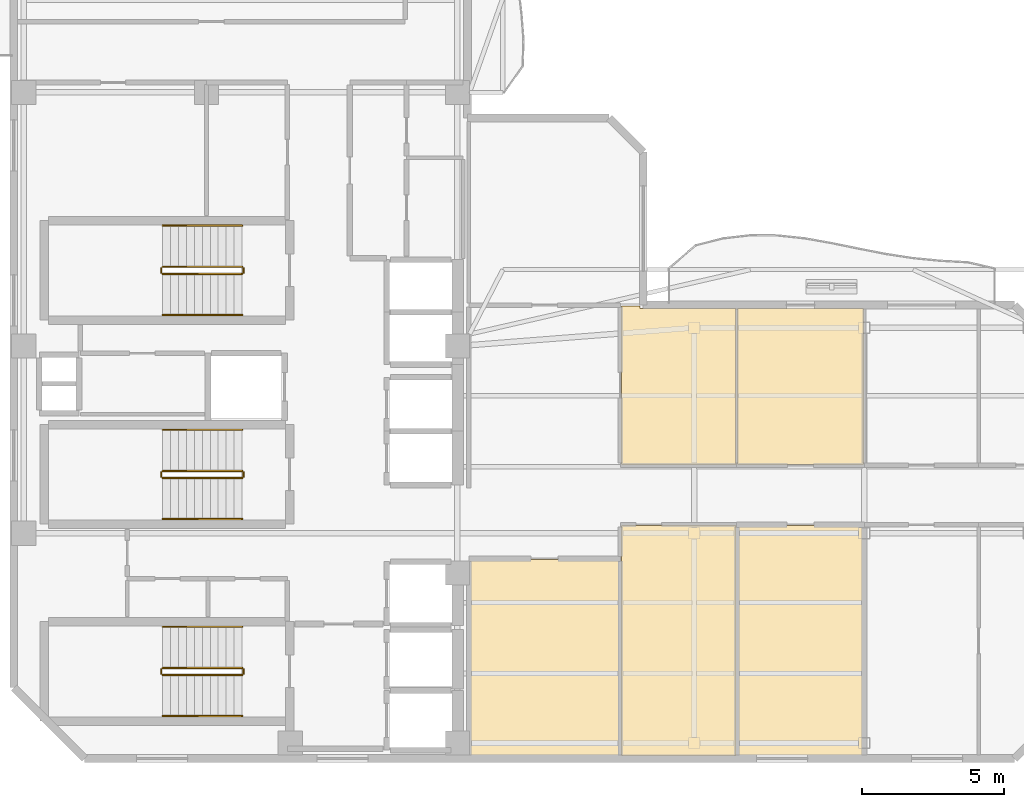
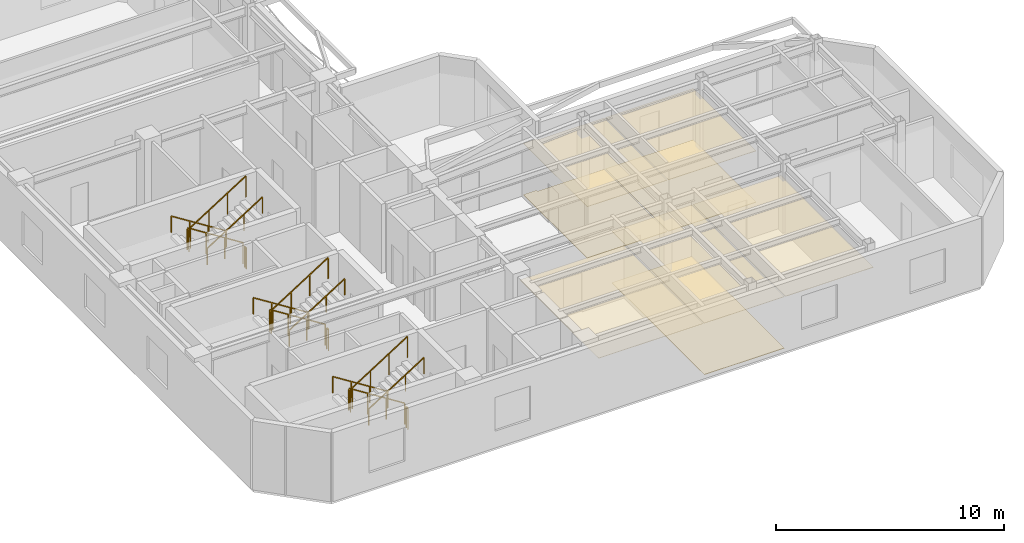
# One storey, part 7 of 8: 18 railings, 8 coverings.
"""IFC4 building model written with IfcOpenShell, lengths in metres."""

from ifc_helpers import new_model, si_unit, direction, frame, origin, origin_2d, place, context, subcontext, project, spatial, polyline, rectangle, outline, extrude, material, layer, layer_set, type_object, element, save


model = new_model("IFC4")

# Units and contexts
model_context = context("Model", 3, precision=1e-05, world=origin(), true_north=direction((0.0, 1.0)))
body_context = subcontext(model_context, "Body", "Model", "MODEL_VIEW")
ifc_project = project(units=[si_unit("LENGTHUNIT", "METRE"), si_unit("AREAUNIT", "SQUARE_METRE"), si_unit("VOLUMEUNIT", "CUBIC_METRE"), si_unit("PLANEANGLEUNIT", "RADIAN"), si_unit("MASSUNIT", "GRAM", prefix="KILO")], contexts=[model_context])

# Site, building, storey
site_placement = place(None, origin())
site = spatial("IfcSite", under=ifc_project, at=site_placement, CompositionType="ELEMENT")
building_placement = place(site_placement, origin())
building = spatial("IfcBuilding", under=site, at=building_placement, Name="Mawjaban Terraces University", CompositionType="ELEMENT")
storey_placement = place(building_placement, frame((0.0, 0.0, 271.60009765625)))
storey = spatial("IfcBuildingStorey", under=building, at=storey_placement, Name="L66", CompositionType="ELEMENT", Elevation=271.60009765625)

# Coverings
ifc_material_1 = material(Name="Acoustic mineral fibre ceiling tile", Category="masonry")
ifc_layer_1 = layer(ifc_material_1, 0.02001953125)
ifc_layer_set_1 = layer_set([ifc_layer_1], Name="Acoustic mineral fibre ceiling tile")
covering_type_1 = type_object("IfcCoveringType", Name="AcousticMineralCeiling_20", PredefinedType="CEILING", material=ifc_layer_set_1)
covering_1_placement = place(storey_placement, frame((0.0, 0.0, 2.75)))
element("IfcCovering", 1, at=covering_1_placement, inside=storey, type_object=covering_type_1, Name="L66 Media Workshop 1 Acoustic Ceiling", PredefinedType="CEILING", context=body_context, shape_type="SweptSolid", body=[
    extrude(outline(polyline([(38.080078125, 7.02001953125), (38.080078125, 0.114990234375), (43.3701171875, 0.114990234375), (43.3701171875, 7.02001953125), (38.080078125, 7.02001953125)])), origin(), (0.0, 0.0, 1.0), 0.02001953125),
])
covering_2_placement = place(storey_placement, frame((0.0, 0.0, 2.75)))
element("IfcCovering", 2, at=covering_2_placement, inside=storey, type_object=covering_type_1, Name="L66 Quiet Reading Room 2 Acoustic Ceiling", PredefinedType="CEILING", context=body_context, shape_type="SweptSolid", body=[
    extrude(outline(polyline([(43.429931640625, 0.114990234375), (47.469970703125, 0.114990234375), (47.469970703125, 8.219970703125), (43.429931640625, 8.219970703125), (43.429931640625, 0.114990234375)])), origin(), (0.0, 0.0, 1.0), 0.02001953125),
])
covering_3_placement = place(storey_placement, frame((0.0, 0.0, 2.75)))
element("IfcCovering", 3, at=covering_3_placement, inside=storey, type_object=covering_type_1, Name="L66 Reading Salon 3 Acoustic Ceiling", PredefinedType="CEILING", context=body_context, shape_type="SweptSolid", body=[
    extrude(outline(polyline([(47.469970703125, 15.885009765625), (44.0849609375, 15.885009765625), (44.0849609375, 15.969970703125), (43.429931640625, 15.969970703125), (43.429931640625, 10.3798828125), (47.469970703125, 10.3798828125), (47.469970703125, 15.885009765625)])), origin(), (0.0, 0.0, 1.0), 0.02001953125),
])
covering_4_placement = place(storey_placement, frame((0.0, 0.0, 2.75)))
element("IfcCovering", 4, at=covering_4_placement, inside=storey, type_object=covering_type_1, Name="L66 Media Workshop 4 Acoustic Ceiling", PredefinedType="CEILING", context=body_context, shape_type="SweptSolid", body=[
    extrude(outline(polyline([(47.530029296875, 0.114990234375), (51.969970703125, 0.114990234375), (51.969970703125, 8.219970703125), (47.530029296875, 8.219970703125), (47.530029296875, 0.114990234375)])), origin(), (0.0, 0.0, 1.0), 0.02001953125),
])
covering_5_placement = place(storey_placement, frame((0.0, 0.0, 2.75)))
element("IfcCovering", 5, at=covering_5_placement, inside=storey, type_object=covering_type_1, Name="L66 Quiet Reading Room 5 Acoustic Ceiling", PredefinedType="CEILING", context=body_context, shape_type="SweptSolid", body=[
    extrude(outline(polyline([(51.969970703125, 15.885009765625), (47.530029296875, 15.885009765625), (47.530029296875, 10.3798828125), (51.969970703125, 10.3798828125), (51.969970703125, 15.885009765625)])), origin(), (0.0, 0.0, 1.0), 0.02001953125),
])

# Railings
ifc_material_2 = material(Name="Brushed stainless steel 316", Category="steel")
railing_type_1 = type_object("IfcRailingType", Name="StairWallHandrail_900", PredefinedType="HANDRAIL", material=ifc_material_2)
railing_1_placement = place(storey_placement, frame((30.050048828125, 4.64990234375, 0.17724609375)))
element("IfcRailing", 6, at=railing_1_placement, inside=storey, type_object=railing_type_1, Name="L66 ST-1 stair handrail 1", PredefinedType="HANDRAIL", context=body_context, shape_type="SweptSolid", body=[
    extrude(rectangle(XDim=0.048095703125, YDim=0.048095703125, at=origin_2d()), frame((0.0, 0.0, 0.8759765625), z_axis=(-0.844908973607, 0.0, 0.534910110503), x_axis=(0.0, -1.0, 0.0)), (0.0, 0.0, 1.0), 3.31396484375),
    extrude(rectangle(XDim=0.0419921875, YDim=0.0419921875, at=origin_2d()), origin(), (0.0, 0.0, 1.0), 0.851806640625),
    extrude(rectangle(XDim=0.0419921875, YDim=0.0419921875, at=origin_2d()), frame((-0.933349609375, 0.0, 0.5908203125)), (0.0, 0.0, 1.0), 0.851806640625),
    extrude(rectangle(XDim=0.0419921875, YDim=0.0419921875, at=origin_2d()), frame((-1.86669921875, 0.0, 1.181884765625)), (0.0, 0.0, 1.0), 0.851806640625),
    extrude(rectangle(XDim=0.0419921875, YDim=0.0419921875, at=origin_2d()), frame((-2.800048828125, 0.0, 1.772705078125)), (0.0, 0.0, 1.0), 0.851806640625),
])
railing_2_placement = place(storey_placement, frame((27.25, 1.5, 2.127197265625)))
element("IfcRailing", 7, at=railing_2_placement, inside=storey, type_object=railing_type_1, Name="L66 ST-1 stair handrail 2", PredefinedType="HANDRAIL", context=body_context, shape_type="SweptSolid", body=[
    extrude(rectangle(XDim=0.048095703125, YDim=0.048095703125, at=origin_2d()), frame((0.0, 0.0, 0.8759765625), z_axis=(0.844908973607, 0.0, 0.534910110503), x_axis=(0.0, 1.0, 0.0)), (0.0, 0.0, 1.0), 3.31396484375),
    extrude(rectangle(XDim=0.0419921875, YDim=0.0419921875, at=origin_2d()), origin(), (0.0, 0.0, 1.0), 0.851806640625),
    extrude(rectangle(XDim=0.0419921875, YDim=0.0419921875, at=origin_2d()), frame((0.933349609375, 0.0, 0.5908203125)), (0.0, 0.0, 1.0), 0.851806640625),
    extrude(rectangle(XDim=0.0419921875, YDim=0.0419921875, at=origin_2d()), frame((1.86669921875, 0.0, 1.181884765625)), (0.0, 0.0, 1.0), 0.851806640625),
    extrude(rectangle(XDim=0.0419921875, YDim=0.0419921875, at=origin_2d()), frame((2.800048828125, 0.0, 1.772705078125)), (0.0, 0.0, 1.0), 0.851806640625),
])
railing_3_placement = place(storey_placement, frame((30.050048828125, 18.800048828125, 0.17724609375)))
element("IfcRailing", 8, at=railing_3_placement, inside=storey, type_object=railing_type_1, Name="L66 ST-2 stair handrail 1", PredefinedType="HANDRAIL", context=body_context, shape_type="SweptSolid", body=[
    extrude(rectangle(XDim=0.048095703125, YDim=0.048095703125, at=origin_2d()), frame((0.0, 0.0, 0.8759765625), z_axis=(-0.844908973607, 0.0, 0.534910110503), x_axis=(0.0, -1.0, 0.0)), (0.0, 0.0, 1.0), 3.31396484375),
    extrude(rectangle(XDim=0.0419921875, YDim=0.0419921875, at=origin_2d()), origin(), (0.0, 0.0, 1.0), 0.851806640625),
    extrude(rectangle(XDim=0.0419921875, YDim=0.0419921875, at=origin_2d()), frame((-0.933349609375, 0.0, 0.5908203125)), (0.0, 0.0, 1.0), 0.851806640625),
    extrude(rectangle(XDim=0.0419921875, YDim=0.0419921875, at=origin_2d()), frame((-1.86669921875, 0.0, 1.181884765625)), (0.0, 0.0, 1.0), 0.851806640625),
    extrude(rectangle(XDim=0.0419921875, YDim=0.0419921875, at=origin_2d()), frame((-2.800048828125, 0.0, 1.772705078125)), (0.0, 0.0, 1.0), 0.851806640625),
])
railing_4_placement = place(storey_placement, frame((27.25, 15.64990234375, 2.127197265625)))
element("IfcRailing", 9, at=railing_4_placement, inside=storey, type_object=railing_type_1, Name="L66 ST-2 stair handrail 2", PredefinedType="HANDRAIL", context=body_context, shape_type="SweptSolid", body=[
    extrude(rectangle(XDim=0.048095703125, YDim=0.048095703125, at=origin_2d()), frame((0.0, 0.0, 0.8759765625), z_axis=(0.844908973607, 0.0, 0.534910110503), x_axis=(0.0, 1.0, 0.0)), (0.0, 0.0, 1.0), 3.31396484375),
    extrude(rectangle(XDim=0.0419921875, YDim=0.0419921875, at=origin_2d()), origin(), (0.0, 0.0, 1.0), 0.851806640625),
    extrude(rectangle(XDim=0.0419921875, YDim=0.0419921875, at=origin_2d()), frame((0.933349609375, 0.0, 0.5908203125)), (0.0, 0.0, 1.0), 0.851806640625),
    extrude(rectangle(XDim=0.0419921875, YDim=0.0419921875, at=origin_2d()), frame((1.86669921875, 0.0, 1.181884765625)), (0.0, 0.0, 1.0), 0.851806640625),
    extrude(rectangle(XDim=0.0419921875, YDim=0.0419921875, at=origin_2d()), frame((2.800048828125, 0.0, 1.772705078125)), (0.0, 0.0, 1.0), 0.851806640625),
])
railing_5_placement = place(storey_placement, frame((30.050048828125, 11.60009765625, 0.17724609375)))
element("IfcRailing", 10, at=railing_5_placement, inside=storey, type_object=railing_type_1, Name="L66 ST-3 stair handrail 1", PredefinedType="HANDRAIL", context=body_context, shape_type="SweptSolid", body=[
    extrude(rectangle(XDim=0.048095703125, YDim=0.048095703125, at=origin_2d()), frame((0.0, 0.0, 0.8759765625), z_axis=(-0.844908973607, 0.0, 0.534910110503), x_axis=(0.0, -1.0, 0.0)), (0.0, 0.0, 1.0), 3.31396484375),
    extrude(rectangle(XDim=0.0419921875, YDim=0.0419921875, at=origin_2d()), origin(), (0.0, 0.0, 1.0), 0.851806640625),
    extrude(rectangle(XDim=0.0419921875, YDim=0.0419921875, at=origin_2d()), frame((-0.933349609375, 0.0, 0.5908203125)), (0.0, 0.0, 1.0), 0.851806640625),
    extrude(rectangle(XDim=0.0419921875, YDim=0.0419921875, at=origin_2d()), frame((-1.86669921875, 0.0, 1.181884765625)), (0.0, 0.0, 1.0), 0.851806640625),
    extrude(rectangle(XDim=0.0419921875, YDim=0.0419921875, at=origin_2d()), frame((-2.800048828125, 0.0, 1.772705078125)), (0.0, 0.0, 1.0), 0.851806640625),
])
railing_6_placement = place(storey_placement, frame((27.25, 8.449951171875, 2.127197265625)))
element("IfcRailing", 11, at=railing_6_placement, inside=storey, type_object=railing_type_1, Name="L66 ST-3 stair handrail 2", PredefinedType="HANDRAIL", context=body_context, shape_type="SweptSolid", body=[
    extrude(rectangle(XDim=0.048095703125, YDim=0.048095703125, at=origin_2d()), frame((0.0, 0.0, 0.8759765625), z_axis=(0.844908973607, 0.0, 0.534910110503), x_axis=(0.0, 1.0, 0.0)), (0.0, 0.0, 1.0), 3.31396484375),
    extrude(rectangle(XDim=0.0419921875, YDim=0.0419921875, at=origin_2d()), origin(), (0.0, 0.0, 1.0), 0.851806640625),
    extrude(rectangle(XDim=0.0419921875, YDim=0.0419921875, at=origin_2d()), frame((0.933349609375, 0.0, 0.5908203125)), (0.0, 0.0, 1.0), 0.851806640625),
    extrude(rectangle(XDim=0.0419921875, YDim=0.0419921875, at=origin_2d()), frame((1.86669921875, 0.0, 1.181884765625)), (0.0, 0.0, 1.0), 0.851806640625),
    extrude(rectangle(XDim=0.0419921875, YDim=0.0419921875, at=origin_2d()), frame((2.800048828125, 0.0, 1.772705078125)), (0.0, 0.0, 1.0), 0.851806640625),
])
ifc_material_3 = material(Name="Galvanised painted steel S355", Category="steel")
railing_type_2 = type_object("IfcRailingType", Name="StairWellGuard_1150", PredefinedType="BALUSTRADE", material=ifc_material_3)
railing_7_placement = place(storey_placement, frame((30.050048828125, 3.199951171875, 0.17724609375)))
element("IfcRailing", 12, at=railing_7_placement, inside=storey, type_object=railing_type_2, Name="L66 ST-1 stair guard 1", PredefinedType="BALUSTRADE", context=body_context, shape_type="SweptSolid", body=[
    extrude(rectangle(XDim=0.048095703125, YDim=0.048095703125, at=origin_2d()), frame((0.0, 0.0, 1.1259765625), z_axis=(-0.844908973607, 0.0, 0.534910110503), x_axis=(0.0, -1.0, 0.0)), (0.0, 0.0, 1.0), 3.31396484375),
    extrude(rectangle(XDim=0.0419921875, YDim=0.0419921875, at=origin_2d()), origin(), (0.0, 0.0, 1.0), 1.101806640625),
    extrude(rectangle(XDim=0.0419921875, YDim=0.0419921875, at=origin_2d()), frame((-0.933349609375, 0.0, 0.5908203125)), (0.0, 0.0, 1.0), 1.101806640625),
    extrude(rectangle(XDim=0.0419921875, YDim=0.0419921875, at=origin_2d()), frame((-1.86669921875, 0.0, 1.181884765625)), (0.0, 0.0, 1.0), 1.101806640625),
    extrude(rectangle(XDim=0.0419921875, YDim=0.0419921875, at=origin_2d()), frame((-2.800048828125, 0.0, 1.772705078125)), (0.0, 0.0, 1.0), 1.101806640625),
])
railing_8_placement = place(storey_placement, frame((27.199951171875, 3.14990234375, 1.949951171875)))
element("IfcRailing", 13, at=railing_8_placement, inside=storey, type_object=railing_type_2, Name="L66 ST-1 stair guard 2", PredefinedType="BALUSTRADE", context=body_context, shape_type="SweptSolid", body=[
    extrude(rectangle(XDim=0.048095703125, YDim=0.048095703125, at=origin_2d()), frame((0.0, 0.0, 1.1259765625), z_axis=(0.0, -1.0, 0.0), x_axis=(1.0, 0.0, 0.0)), (0.0, 0.0, 1.0), 0.14990234375),
    extrude(rectangle(XDim=0.0419921875, YDim=0.0419921875, at=origin_2d()), origin(), (0.0, 0.0, 1.0), 1.101806640625),
    extrude(rectangle(XDim=0.0419921875, YDim=0.0419921875, at=origin_2d()), frame((0.0, -0.14990234375, 0.0)), (0.0, 0.0, 1.0), 1.101806640625),
])
railing_9_placement = place(storey_placement, frame((27.25, 2.949951171875, 2.127197265625)))
element("IfcRailing", 14, at=railing_9_placement, inside=storey, type_object=railing_type_2, Name="L66 ST-1 stair guard 3", PredefinedType="BALUSTRADE", context=body_context, shape_type="SweptSolid", body=[
    extrude(rectangle(XDim=0.048095703125, YDim=0.048095703125, at=origin_2d()), frame((0.0, 0.0, 1.1259765625), z_axis=(0.844908973607, 0.0, 0.534910110503), x_axis=(0.0, 1.0, 0.0)), (0.0, 0.0, 1.0), 3.31396484375),
    extrude(rectangle(XDim=0.0419921875, YDim=0.0419921875, at=origin_2d()), origin(), (0.0, 0.0, 1.0), 1.101806640625),
    extrude(rectangle(XDim=0.0419921875, YDim=0.0419921875, at=origin_2d()), frame((0.933349609375, 0.0, 0.5908203125)), (0.0, 0.0, 1.0), 1.101806640625),
    extrude(rectangle(XDim=0.0419921875, YDim=0.0419921875, at=origin_2d()), frame((1.86669921875, 0.0, 1.181884765625)), (0.0, 0.0, 1.0), 1.101806640625),
    extrude(rectangle(XDim=0.0419921875, YDim=0.0419921875, at=origin_2d()), frame((2.800048828125, 0.0, 1.772705078125)), (0.0, 0.0, 1.0), 1.101806640625),
])
railing_10_placement = place(storey_placement, frame((30.10009765625, 3.14990234375, 0.0)))
element("IfcRailing", 15, at=railing_10_placement, inside=storey, type_object=railing_type_2, Name="L66 ST-1 stair guard 4", PredefinedType="BALUSTRADE", context=body_context, shape_type="SweptSolid", body=[
    extrude(rectangle(XDim=0.048095703125, YDim=0.048095703125, at=origin_2d()), frame((0.0, 0.0, 1.1259765625), z_axis=(0.0, -1.0, 0.0), x_axis=(1.0, 0.0, 0.0)), (0.0, 0.0, 1.0), 0.14990234375),
    extrude(rectangle(XDim=0.0419921875, YDim=0.0419921875, at=origin_2d()), origin(), (0.0, 0.0, 1.0), 1.101806640625),
    extrude(rectangle(XDim=0.0419921875, YDim=0.0419921875, at=origin_2d()), frame((0.0, -0.14990234375, 0.0)), (0.0, 0.0, 1.0), 1.101806640625),
])
railing_11_placement = place(storey_placement, frame((30.050048828125, 17.35009765625, 0.17724609375)))
element("IfcRailing", 16, at=railing_11_placement, inside=storey, type_object=railing_type_2, Name="L66 ST-2 stair guard 1", PredefinedType="BALUSTRADE", context=body_context, shape_type="SweptSolid", body=[
    extrude(rectangle(XDim=0.048095703125, YDim=0.048095703125, at=origin_2d()), frame((0.0, 0.0, 1.1259765625), z_axis=(-0.844908973607, 0.0, 0.534910110503), x_axis=(0.0, -1.0, 0.0)), (0.0, 0.0, 1.0), 3.31396484375),
    extrude(rectangle(XDim=0.0419921875, YDim=0.0419921875, at=origin_2d()), origin(), (0.0, 0.0, 1.0), 1.101806640625),
    extrude(rectangle(XDim=0.0419921875, YDim=0.0419921875, at=origin_2d()), frame((-0.933349609375, 0.0, 0.5908203125)), (0.0, 0.0, 1.0), 1.101806640625),
    extrude(rectangle(XDim=0.0419921875, YDim=0.0419921875, at=origin_2d()), frame((-1.86669921875, 0.0, 1.181884765625)), (0.0, 0.0, 1.0), 1.101806640625),
    extrude(rectangle(XDim=0.0419921875, YDim=0.0419921875, at=origin_2d()), frame((-2.800048828125, 0.0, 1.772705078125)), (0.0, 0.0, 1.0), 1.101806640625),
])
railing_12_placement = place(storey_placement, frame((27.199951171875, 17.300048828125, 1.949951171875)))
element("IfcRailing", 17, at=railing_12_placement, inside=storey, type_object=railing_type_2, Name="L66 ST-2 stair guard 2", PredefinedType="BALUSTRADE", context=body_context, shape_type="SweptSolid", body=[
    extrude(rectangle(XDim=0.048095703125, YDim=0.048095703125, at=origin_2d()), frame((0.0, 0.0, 1.1259765625), z_axis=(0.0, -1.0, 0.0), x_axis=(1.0, 0.0, 0.0)), (0.0, 0.0, 1.0), 0.150146484375),
    extrude(rectangle(XDim=0.0419921875, YDim=0.0419921875, at=origin_2d()), origin(), (0.0, 0.0, 1.0), 1.101806640625),
    extrude(rectangle(XDim=0.0419921875, YDim=0.0419921875, at=origin_2d()), frame((0.0, -0.150146484375, 0.0)), (0.0, 0.0, 1.0), 1.101806640625),
])
railing_13_placement = place(storey_placement, frame((27.25, 17.10009765625, 2.127197265625)))
element("IfcRailing", 18, at=railing_13_placement, inside=storey, type_object=railing_type_2, Name="L66 ST-2 stair guard 3", PredefinedType="BALUSTRADE", context=body_context, shape_type="SweptSolid", body=[
    extrude(rectangle(XDim=0.048095703125, YDim=0.048095703125, at=origin_2d()), frame((0.0, 0.0, 1.1259765625), z_axis=(0.844908973607, 0.0, 0.534910110503), x_axis=(0.0, 1.0, 0.0)), (0.0, 0.0, 1.0), 3.31396484375),
    extrude(rectangle(XDim=0.0419921875, YDim=0.0419921875, at=origin_2d()), origin(), (0.0, 0.0, 1.0), 1.101806640625),
    extrude(rectangle(XDim=0.0419921875, YDim=0.0419921875, at=origin_2d()), frame((0.933349609375, 0.0, 0.5908203125)), (0.0, 0.0, 1.0), 1.101806640625),
    extrude(rectangle(XDim=0.0419921875, YDim=0.0419921875, at=origin_2d()), frame((1.86669921875, 0.0, 1.181884765625)), (0.0, 0.0, 1.0), 1.101806640625),
    extrude(rectangle(XDim=0.0419921875, YDim=0.0419921875, at=origin_2d()), frame((2.800048828125, 0.0, 1.772705078125)), (0.0, 0.0, 1.0), 1.101806640625),
])
railing_14_placement = place(storey_placement, frame((30.10009765625, 17.300048828125, 0.0)))
element("IfcRailing", 19, at=railing_14_placement, inside=storey, type_object=railing_type_2, Name="L66 ST-2 stair guard 4", PredefinedType="BALUSTRADE", context=body_context, shape_type="SweptSolid", body=[
    extrude(rectangle(XDim=0.048095703125, YDim=0.048095703125, at=origin_2d()), frame((0.0, 0.0, 1.1259765625), z_axis=(0.0, -1.0, 0.0), x_axis=(1.0, 0.0, 0.0)), (0.0, 0.0, 1.0), 0.150146484375),
    extrude(rectangle(XDim=0.0419921875, YDim=0.0419921875, at=origin_2d()), origin(), (0.0, 0.0, 1.0), 1.101806640625),
    extrude(rectangle(XDim=0.0419921875, YDim=0.0419921875, at=origin_2d()), frame((0.0, -0.150146484375, 0.0)), (0.0, 0.0, 1.0), 1.101806640625),
])
railing_15_placement = place(storey_placement, frame((30.050048828125, 10.14990234375, 0.17724609375)))
element("IfcRailing", 20, at=railing_15_placement, inside=storey, type_object=railing_type_2, Name="L66 ST-3 stair guard 1", PredefinedType="BALUSTRADE", context=body_context, shape_type="SweptSolid", body=[
    extrude(rectangle(XDim=0.048095703125, YDim=0.048095703125, at=origin_2d()), frame((0.0, 0.0, 1.1259765625), z_axis=(-0.844908973607, 0.0, 0.534910110503), x_axis=(0.0, -1.0, 0.0)), (0.0, 0.0, 1.0), 3.31396484375),
    extrude(rectangle(XDim=0.0419921875, YDim=0.0419921875, at=origin_2d()), origin(), (0.0, 0.0, 1.0), 1.101806640625),
    extrude(rectangle(XDim=0.0419921875, YDim=0.0419921875, at=origin_2d()), frame((-0.933349609375, 0.0, 0.5908203125)), (0.0, 0.0, 1.0), 1.101806640625),
    extrude(rectangle(XDim=0.0419921875, YDim=0.0419921875, at=origin_2d()), frame((-1.86669921875, 0.0, 1.181884765625)), (0.0, 0.0, 1.0), 1.101806640625),
    extrude(rectangle(XDim=0.0419921875, YDim=0.0419921875, at=origin_2d()), frame((-2.800048828125, 0.0, 1.772705078125)), (0.0, 0.0, 1.0), 1.101806640625),
])
railing_16_placement = place(storey_placement, frame((27.199951171875, 10.10009765625, 1.949951171875)))
element("IfcRailing", 21, at=railing_16_placement, inside=storey, type_object=railing_type_2, Name="L66 ST-3 stair guard 2", PredefinedType="BALUSTRADE", context=body_context, shape_type="SweptSolid", body=[
    extrude(rectangle(XDim=0.048095703125, YDim=0.048095703125, at=origin_2d()), frame((0.0, 0.0, 1.1259765625), z_axis=(0.0, -1.0, 0.0), x_axis=(1.0, 0.0, 0.0)), (0.0, 0.0, 1.0), 0.150146484375),
    extrude(rectangle(XDim=0.0419921875, YDim=0.0419921875, at=origin_2d()), origin(), (0.0, 0.0, 1.0), 1.101806640625),
    extrude(rectangle(XDim=0.0419921875, YDim=0.0419921875, at=origin_2d()), frame((0.0, -0.150146484375, 0.0)), (0.0, 0.0, 1.0), 1.101806640625),
])
railing_17_placement = place(storey_placement, frame((27.25, 9.89990234375, 2.127197265625)))
element("IfcRailing", 22, at=railing_17_placement, inside=storey, type_object=railing_type_2, Name="L66 ST-3 stair guard 3", PredefinedType="BALUSTRADE", context=body_context, shape_type="SweptSolid", body=[
    extrude(rectangle(XDim=0.048095703125, YDim=0.048095703125, at=origin_2d()), frame((0.0, 0.0, 1.1259765625), z_axis=(0.844908973607, 0.0, 0.534910110503), x_axis=(0.0, 1.0, 0.0)), (0.0, 0.0, 1.0), 3.31396484375),
    extrude(rectangle(XDim=0.0419921875, YDim=0.0419921875, at=origin_2d()), origin(), (0.0, 0.0, 1.0), 1.101806640625),
    extrude(rectangle(XDim=0.0419921875, YDim=0.0419921875, at=origin_2d()), frame((0.933349609375, 0.0, 0.5908203125)), (0.0, 0.0, 1.0), 1.101806640625),
    extrude(rectangle(XDim=0.0419921875, YDim=0.0419921875, at=origin_2d()), frame((1.86669921875, 0.0, 1.181884765625)), (0.0, 0.0, 1.0), 1.101806640625),
    extrude(rectangle(XDim=0.0419921875, YDim=0.0419921875, at=origin_2d()), frame((2.800048828125, 0.0, 1.772705078125)), (0.0, 0.0, 1.0), 1.101806640625),
])
railing_18_placement = place(storey_placement, frame((30.10009765625, 10.10009765625, 0.0)))
element("IfcRailing", 23, at=railing_18_placement, inside=storey, type_object=railing_type_2, Name="L66 ST-3 stair guard 4", PredefinedType="BALUSTRADE", context=body_context, shape_type="SweptSolid", body=[
    extrude(rectangle(XDim=0.048095703125, YDim=0.048095703125, at=origin_2d()), frame((0.0, 0.0, 1.1259765625), z_axis=(0.0, -1.0, 0.0), x_axis=(1.0, 0.0, 0.0)), (0.0, 0.0, 1.0), 0.150146484375),
    extrude(rectangle(XDim=0.0419921875, YDim=0.0419921875, at=origin_2d()), origin(), (0.0, 0.0, 1.0), 1.101806640625),
    extrude(rectangle(XDim=0.0419921875, YDim=0.0419921875, at=origin_2d()), frame((0.0, -0.150146484375, 0.0)), (0.0, 0.0, 1.0), 1.101806640625),
])

# Coverings
ifc_material_4 = material(Name="Polished Hijazi granite terrazzo flooring", Category="masonry")
ifc_layer_2 = layer(ifc_material_4, 0.02490234375)
ifc_layer_set_2 = layer_set([ifc_layer_2], Name="Polished Hijazi granite terrazzo flooring")
covering_type_2 = type_object("IfcCoveringType", Name="TerrazzoConcourseFlooring_25", PredefinedType="FLOORING", material=ifc_layer_set_2)
covering_6_placement = place(storey_placement, origin())
element("IfcCovering", 24, at=covering_6_placement, inside=storey, type_object=covering_type_2, Name="L66 Quiet Reading Room 2 Terrazzo Flooring", PredefinedType="FLOORING", context=body_context, shape_type="SweptSolid", body=[
    extrude(outline(polyline([(43.429931640625, 0.114990234375), (47.469970703125, 0.114990234375), (47.469970703125, 8.219970703125), (43.429931640625, 8.219970703125), (43.429931640625, 0.114990234375)])), origin(), (0.0, 0.0, 1.0), 0.02490234375),
])
covering_7_placement = place(storey_placement, origin())
element("IfcCovering", 25, at=covering_7_placement, inside=storey, type_object=covering_type_2, Name="L66 Reading Salon 3 Terrazzo Flooring", PredefinedType="FLOORING", context=body_context, shape_type="SweptSolid", body=[
    extrude(outline(polyline([(47.469970703125, 15.885009765625), (44.0849609375, 15.885009765625), (44.0849609375, 15.969970703125), (43.429931640625, 15.969970703125), (43.429931640625, 10.3798828125), (47.469970703125, 10.3798828125), (47.469970703125, 15.885009765625)])), origin(), (0.0, 0.0, 1.0), 0.02490234375),
])
covering_8_placement = place(storey_placement, origin())
element("IfcCovering", 26, at=covering_8_placement, inside=storey, type_object=covering_type_2, Name="L66 Quiet Reading Room 5 Terrazzo Flooring", PredefinedType="FLOORING", context=body_context, shape_type="SweptSolid", body=[
    extrude(outline(polyline([(51.969970703125, 15.885009765625), (47.530029296875, 15.885009765625), (47.530029296875, 10.3798828125), (51.969970703125, 10.3798828125), (51.969970703125, 15.885009765625)])), origin(), (0.0, 0.0, 1.0), 0.02490234375),
])

save(model, "model.ifc")
